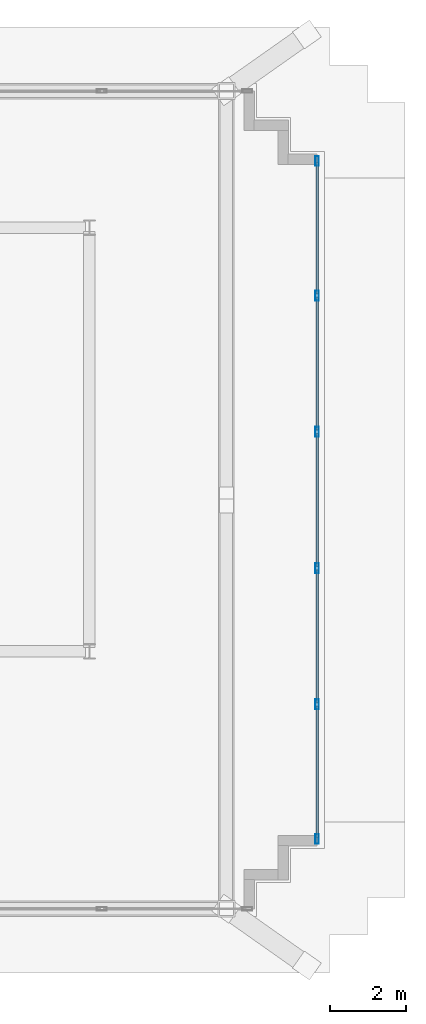
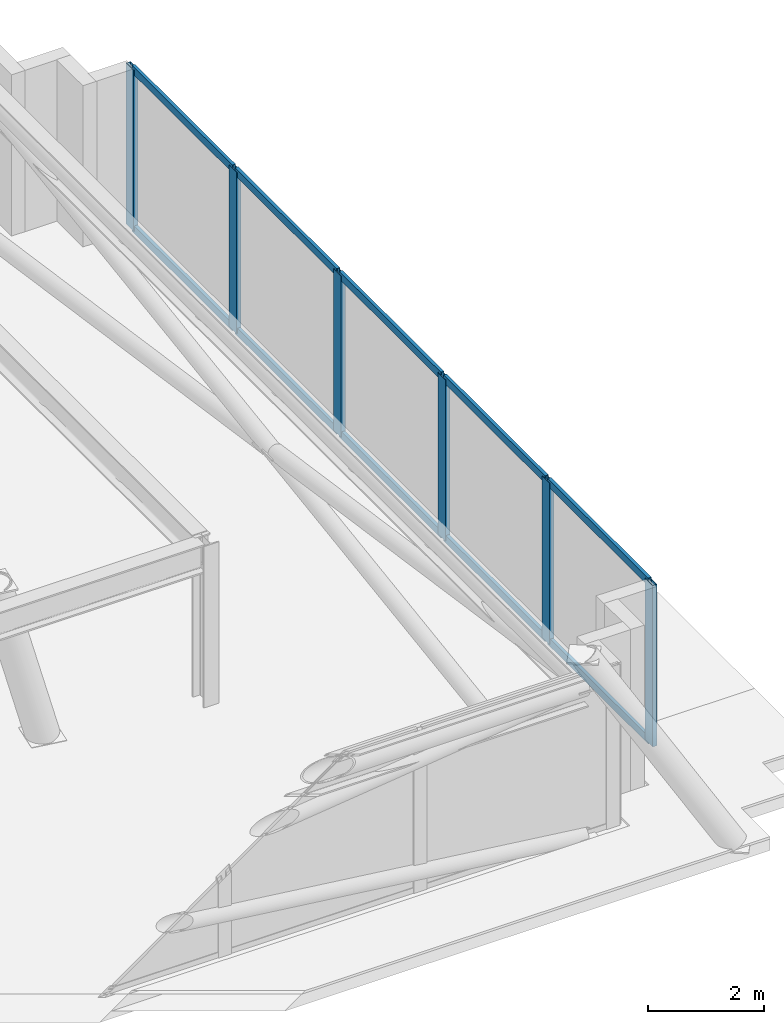
# One storey, part 10 of 15: 16 members, 1 element without a shape of its own.
"""IFC4 building model written with IfcOpenShell, lengths in metres."""

from ifc_helpers import new_model, si_unit, direction, frame, origin, origin_2d, place, context, subcontext, project, spatial, hollow_rectangle, extrude, material, layer, layer_set, material_profile, profile_set, type_object, element, aggregate, save


model = new_model("IFC4")

# Units and contexts
model_context = context("Model", 3, precision=1e-05, world=origin(), true_north=direction((0.0, 1.0)))
body_context = subcontext(model_context, "Body", "Model", "MODEL_VIEW")
ifc_project = project(units=[si_unit("LENGTHUNIT", "METRE"), si_unit("AREAUNIT", "SQUARE_METRE"), si_unit("VOLUMEUNIT", "CUBIC_METRE"), si_unit("PLANEANGLEUNIT", "RADIAN"), si_unit("MASSUNIT", "GRAM", prefix="KILO")], contexts=[model_context])

# Site, building, storey
site_placement = place(None, origin())
site = spatial("IfcSite", under=ifc_project, at=site_placement, CompositionType="ELEMENT")
building_placement = place(site_placement, origin())
building = spatial("IfcBuilding", under=site, at=building_placement, Name="Qobustan Lattice House", CompositionType="ELEMENT")
storey_placement = place(building_placement, frame((0.0, 0.0, 281.60009765625)))
storey = spatial("IfcBuildingStorey", under=building, at=storey_placement, Name="L79", CompositionType="ELEMENT", Elevation=281.60009765625)

# Curtain wall, members
ifc_material_1 = material(Name="Anodised aluminium and low-E glazing", Category="aluminium")
ifc_layer = layer(ifc_material_1, 0.219970703125)
ifc_layer_set = layer_set([ifc_layer], Name="Anodised aluminium and low-E glazing")
curtain_wall_type = type_object("IfcCurtainWallType", Name="CW-CRN-01", PredefinedType="USERDEFINED", material=ifc_layer_set)
curtain_wall_placement = place(storey_placement, origin())
curtain_wall = element("IfcCurtainWall", 1, at=curtain_wall_placement, inside=storey, type_object=curtain_wall_type, Name="L79 glass-point crown faceted curtain wall 15", ObjectType="CURTAIN WALL", PredefinedType="USERDEFINED")
ifc_material_2 = material(Name="Anodised aluminium EN AW-6063 T6", Category="aluminium")
ifc_material_profile_1 = material_profile(ifc_material_2, hollow_rectangle(XDim=0.090087890625, YDim=0.260009765625, WallThickness=0.006103515625, at=origin_2d()), Name="CWM-CROWN-260x90")
ifc_profile_set_1 = profile_set([ifc_material_profile_1], Name="Anodised aluminium EN AW-6063 T6")
member_type_1 = type_object("IfcMemberType", Name="CWM-CRN-260", PredefinedType="MULLION", material=ifc_profile_set_1)
member_1_placement = place(storey_placement, frame((15.219970703125, 7.360107421875, 0.0), z_axis=(0.0, 0.0, 1.0), x_axis=(1.0, 0.0, 0.0)))
member_1 = element("IfcMember", 2, at=member_1_placement, type_object=member_type_1, Name="CW-CR mullion 1", PredefinedType="MULLION", context=body_context, shape_type="SweptSolid", body=[
    extrude(hollow_rectangle(XDim=0.090087890625, YDim=0.260009765625, WallThickness=0.006103515625, at=origin_2d()), origin(), (0.0, 0.0, 1.0), 3.39990234375),
])
member_2_placement = place(storey_placement, frame((15.219970703125, 3.802978515625, 0.0), z_axis=(0.0, 0.0, 1.0), x_axis=(1.0, 0.0, 0.0)))
member_2 = element("IfcMember", 3, at=member_2_placement, type_object=member_type_1, Name="CW-CR mullion 2", PredefinedType="MULLION", context=body_context, shape_type="SweptSolid", body=[
    extrude(hollow_rectangle(XDim=0.090087890625, YDim=0.260009765625, WallThickness=0.006103515625, at=origin_2d()), origin(), (0.0, 0.0, 1.0), 3.39990234375),
])
member_3_placement = place(storey_placement, frame((15.219970703125, 0.200927734375, 0.0), z_axis=(0.0, 0.0, 1.0), x_axis=(1.0, 0.0, 0.0)))
member_3 = element("IfcMember", 4, at=member_3_placement, type_object=member_type_1, Name="CW-CR mullion 3", PredefinedType="MULLION", context=body_context, shape_type="SweptSolid", body=[
    extrude(hollow_rectangle(XDim=0.090087890625, YDim=0.260009765625, WallThickness=0.006103515625, at=origin_2d()), origin(), (0.0, 0.0, 1.0), 3.39990234375),
])
member_4_placement = place(storey_placement, frame((15.219970703125, -3.40087890625, 0.0), z_axis=(0.0, 0.0, 1.0), x_axis=(1.0, 0.0, 0.0)))
member_4 = element("IfcMember", 5, at=member_4_placement, type_object=member_type_1, Name="CW-CR mullion 4", PredefinedType="MULLION", context=body_context, shape_type="SweptSolid", body=[
    extrude(hollow_rectangle(XDim=0.090087890625, YDim=0.260009765625, WallThickness=0.006103515625, at=origin_2d()), origin(), (0.0, 0.0, 1.0), 3.39990234375),
])
member_5_placement = place(storey_placement, frame((15.219970703125, -7.0029296875, 0.0), z_axis=(0.0, 0.0, 1.0), x_axis=(1.0, 0.0, 0.0)))
member_5 = element("IfcMember", 6, at=member_5_placement, type_object=member_type_1, Name="CW-CR mullion 5", PredefinedType="MULLION", context=body_context, shape_type="SweptSolid", body=[
    extrude(hollow_rectangle(XDim=0.090087890625, YDim=0.260009765625, WallThickness=0.006103515625, at=origin_2d()), origin(), (0.0, 0.0, 1.0), 3.39990234375),
])
member_6_placement = place(storey_placement, frame((15.219970703125, -10.56005859375, 0.0), z_axis=(0.0, 0.0, 1.0), x_axis=(1.0, 0.0, 0.0)))
member_6 = element("IfcMember", 7, at=member_6_placement, type_object=member_type_1, Name="CW-CR mullion 6", PredefinedType="MULLION", context=body_context, shape_type="SweptSolid", body=[
    extrude(hollow_rectangle(XDim=0.090087890625, YDim=0.260009765625, WallThickness=0.006103515625, at=origin_2d()), origin(), (0.0, 0.0, 1.0), 3.39990234375),
])
ifc_material_3 = material(Name="Anodised aluminium EN AW-6063 T6", Category="aluminium")
ifc_material_profile_2 = material_profile(ifc_material_3, hollow_rectangle(XDim=0.06494140625, YDim=0.159912109375, WallThickness=0.00390625, at=origin_2d()), Name="CWT-160x65")
ifc_profile_set_2 = profile_set([ifc_material_profile_2], Name="Anodised aluminium EN AW-6063 T6")
member_type_2 = type_object("IfcMemberType", Name="CWT-HOR-160", PredefinedType="USERDEFINED", material=ifc_profile_set_2)
member_7_placement = place(storey_placement, frame((15.219970703125, 7.31494140625, 0.032470703125), z_axis=(0.0, -1.0, 0.0), x_axis=(1.0, 0.0, 0.0)))
member_7 = element("IfcMember", 8, at=member_7_placement, type_object=member_type_2, Name="CW-CR transom 1.1", ObjectType="TRANSOM", PredefinedType="USERDEFINED", context=body_context, shape_type="SweptSolid", body=[
    extrude(hollow_rectangle(XDim=0.06494140625, YDim=0.159912109375, WallThickness=0.00390625, at=origin_2d()), origin(), (0.0, 0.0, 1.0), 3.467041015625),
])
member_8_placement = place(storey_placement, frame((15.219970703125, 7.31494140625, 3.367431640625), z_axis=(0.0, -1.0, 0.0), x_axis=(1.0, 0.0, 0.0)))
member_8 = element("IfcMember", 9, at=member_8_placement, type_object=member_type_2, Name="CW-CR transom 1.2", ObjectType="TRANSOM", PredefinedType="USERDEFINED", context=body_context, shape_type="SweptSolid", body=[
    extrude(hollow_rectangle(XDim=0.06494140625, YDim=0.159912109375, WallThickness=0.00390625, at=origin_2d()), origin(), (0.0, 0.0, 1.0), 3.467041015625),
])
member_9_placement = place(storey_placement, frame((15.219970703125, 3.758056640625, 0.032470703125), z_axis=(0.0, -1.0, 0.0), x_axis=(1.0, 0.0, 0.0)))
member_9 = element("IfcMember", 10, at=member_9_placement, type_object=member_type_2, Name="CW-CR transom 2.1", ObjectType="TRANSOM", PredefinedType="USERDEFINED", context=body_context, shape_type="SweptSolid", body=[
    extrude(hollow_rectangle(XDim=0.06494140625, YDim=0.159912109375, WallThickness=0.00390625, at=origin_2d()), origin(), (0.0, 0.0, 1.0), 3.511962890625),
])
member_10_placement = place(storey_placement, frame((15.219970703125, 3.758056640625, 3.367431640625), z_axis=(0.0, -1.0, 0.0), x_axis=(1.0, 0.0, 0.0)))
member_10 = element("IfcMember", 11, at=member_10_placement, type_object=member_type_2, Name="CW-CR transom 2.2", ObjectType="TRANSOM", PredefinedType="USERDEFINED", context=body_context, shape_type="SweptSolid", body=[
    extrude(hollow_rectangle(XDim=0.06494140625, YDim=0.159912109375, WallThickness=0.00390625, at=origin_2d()), origin(), (0.0, 0.0, 1.0), 3.511962890625),
])
member_11_placement = place(storey_placement, frame((15.219970703125, 0.156005859375, 0.032470703125), z_axis=(0.0, -1.0, 0.0), x_axis=(1.0, 0.0, 0.0)))
member_11 = element("IfcMember", 12, at=member_11_placement, type_object=member_type_2, Name="CW-CR transom 3.1", ObjectType="TRANSOM", PredefinedType="USERDEFINED", context=body_context, shape_type="SweptSolid", body=[
    extrude(hollow_rectangle(XDim=0.06494140625, YDim=0.159912109375, WallThickness=0.00390625, at=origin_2d()), origin(), (0.0, 0.0, 1.0), 3.511962890625),
])
member_12_placement = place(storey_placement, frame((15.219970703125, 0.156005859375, 3.367431640625), z_axis=(0.0, -1.0, 0.0), x_axis=(1.0, 0.0, 0.0)))
member_12 = element("IfcMember", 13, at=member_12_placement, type_object=member_type_2, Name="CW-CR transom 3.2", ObjectType="TRANSOM", PredefinedType="USERDEFINED", context=body_context, shape_type="SweptSolid", body=[
    extrude(hollow_rectangle(XDim=0.06494140625, YDim=0.159912109375, WallThickness=0.00390625, at=origin_2d()), origin(), (0.0, 0.0, 1.0), 3.511962890625),
])
member_13_placement = place(storey_placement, frame((15.219970703125, -3.446044921875, 0.032470703125), z_axis=(0.0, -1.0, 0.0), x_axis=(1.0, 0.0, 0.0)))
member_13 = element("IfcMember", 14, at=member_13_placement, type_object=member_type_2, Name="CW-CR transom 4.1", ObjectType="TRANSOM", PredefinedType="USERDEFINED", context=body_context, shape_type="SweptSolid", body=[
    extrude(hollow_rectangle(XDim=0.06494140625, YDim=0.159912109375, WallThickness=0.00390625, at=origin_2d()), origin(), (0.0, 0.0, 1.0), 3.511962890625),
])
member_14_placement = place(storey_placement, frame((15.219970703125, -3.446044921875, 3.367431640625), z_axis=(0.0, -1.0, 0.0), x_axis=(1.0, 0.0, 0.0)))
member_14 = element("IfcMember", 15, at=member_14_placement, type_object=member_type_2, Name="CW-CR transom 4.2", ObjectType="TRANSOM", PredefinedType="USERDEFINED", context=body_context, shape_type="SweptSolid", body=[
    extrude(hollow_rectangle(XDim=0.06494140625, YDim=0.159912109375, WallThickness=0.00390625, at=origin_2d()), origin(), (0.0, 0.0, 1.0), 3.511962890625),
])
member_15_placement = place(storey_placement, frame((15.219970703125, -7.048095703125, 0.032470703125), z_axis=(0.0, -1.0, 0.0), x_axis=(1.0, 0.0, 0.0)))
member_15 = element("IfcMember", 16, at=member_15_placement, type_object=member_type_2, Name="CW-CR transom 5.1", ObjectType="TRANSOM", PredefinedType="USERDEFINED", context=body_context, shape_type="SweptSolid", body=[
    extrude(hollow_rectangle(XDim=0.06494140625, YDim=0.159912109375, WallThickness=0.00390625, at=origin_2d()), origin(), (0.0, 0.0, 1.0), 3.466796875),
])
member_16_placement = place(storey_placement, frame((15.219970703125, -7.048095703125, 3.367431640625), z_axis=(0.0, -1.0, 0.0), x_axis=(1.0, 0.0, 0.0)))
member_16 = element("IfcMember", 17, at=member_16_placement, type_object=member_type_2, Name="CW-CR transom 5.2", ObjectType="TRANSOM", PredefinedType="USERDEFINED", context=body_context, shape_type="SweptSolid", body=[
    extrude(hollow_rectangle(XDim=0.06494140625, YDim=0.159912109375, WallThickness=0.00390625, at=origin_2d()), origin(), (0.0, 0.0, 1.0), 3.466796875),
])
aggregate(curtain_wall, [member_1, member_2, member_3, member_4, member_5, member_6, member_7, member_8, member_9, member_10, member_11, member_12, member_13, member_14, member_15, member_16])

save(model, "model.ifc")
